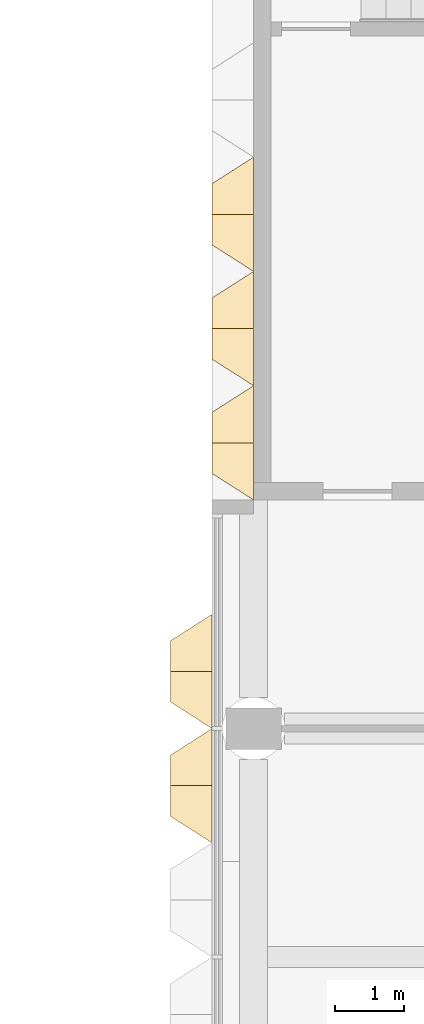
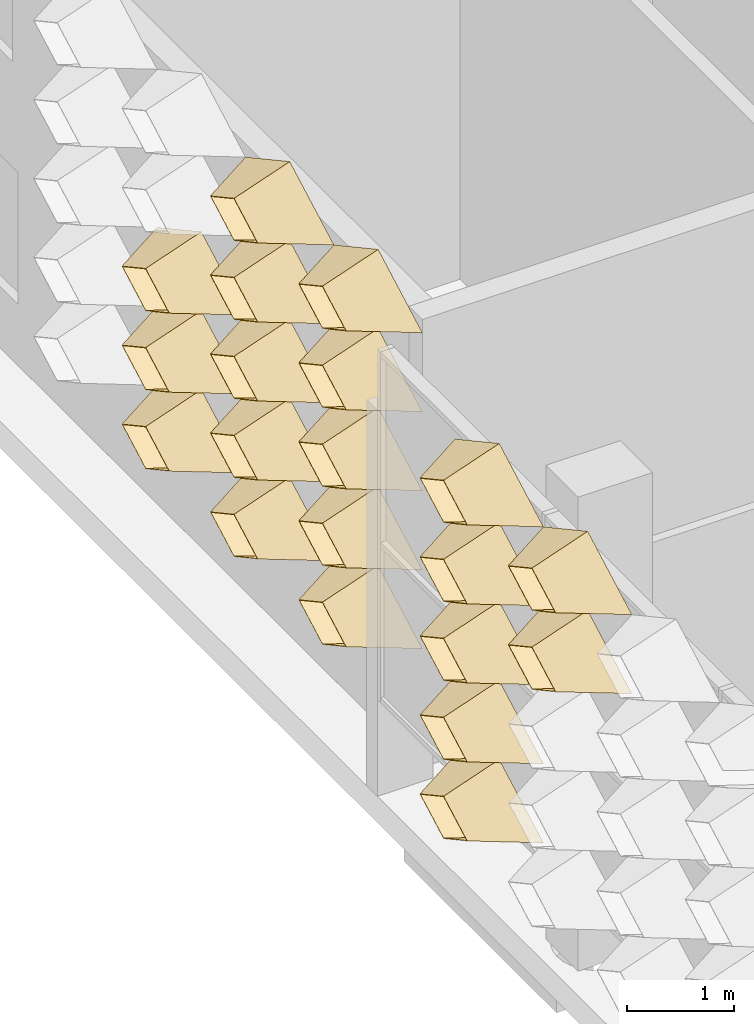
# One storey, part 46 of 85: 20 coverings.
"""IFC4 building model written with IfcOpenShell, lengths in metres."""

from ifc_helpers import new_model, entity, si_unit, direction, frame, origin, place, context, subcontext, project, spatial, material, layer, layer_set, type_object, element, save


model = new_model("IFC4")

# Units and contexts
model_context = context("Model", 3, precision=1e-05, world=origin(), true_north=direction((0.0, 1.0)))
body_context = subcontext(model_context, "Body", "Model", "MODEL_VIEW")
ifc_project = project(units=[si_unit("LENGTHUNIT", "METRE"), si_unit("AREAUNIT", "SQUARE_METRE"), si_unit("VOLUMEUNIT", "CUBIC_METRE"), si_unit("PLANEANGLEUNIT", "RADIAN"), si_unit("MASSUNIT", "GRAM", prefix="KILO")], contexts=[model_context])

# Site, building, storey
site_placement = place(None, origin())
site = spatial("IfcSite", under=ifc_project, at=site_placement, CompositionType="ELEMENT")
building_placement = place(site_placement, origin())
building = spatial("IfcBuilding", under=site, at=building_placement, Name="Lantern Court Research Institute", CompositionType="ELEMENT")
storey_placement = place(building_placement, origin())
storey = spatial("IfcBuildingStorey", under=building, at=storey_placement, Name="L00", CompositionType="ELEMENT", Elevation=0.0)

# Coverings
ifc_material = material(Name="Anodised aluminium", Category="aluminium")
ifc_layer = layer(ifc_material, 0.01611328125)
ifc_layer_set = layer_set([ifc_layer], Name="Anodised aluminium")
covering_type = type_object("IfcCoveringType", Name="Fin cassette 1650 x 900 x 600 aluminium", PredefinedType="CLADDING", material=ifc_layer_set)
covering_1_placement = place(storey_placement, frame((0.0, 14.02490234375, 1.35009765625), z_axis=(-1.0, 0.0, 0.0), x_axis=(0.0, -1.0, 0.0)))
cartesian_point_1 = entity("IfcCartesianPoint", [0.824951171875, 0.0])
cartesian_point_2 = entity("IfcCartesianPoint", [0.79150390625, 0.0])
cartesian_point_3 = entity("IfcCartesianPoint", [0.44189453125, 0.0])
cartesian_point_4 = entity("IfcCartesianPoint", [0.43359375, 0.0])
element("IfcCovering", 1, at=covering_1_placement, inside=storey, type_object=covering_type, Name="Fin cassette V4W-L00 2.9", PredefinedType="CLADDING", context=body_context, shape_type="SweptSolid", body=[
    entity("IfcExtrudedAreaSolidTapered", entity("IfcArbitraryProfileDefWithVoids", "AREA", None, entity("IfcPolyline", [cartesian_point_1, entity("IfcCartesianPoint", [0.0, 0.449951171875]), entity("IfcCartesianPoint", [-0.824951171875, 0.0]), entity("IfcCartesianPoint", [0.0, -0.449951171875]), cartesian_point_1]), [entity("IfcPolyline", [cartesian_point_2, entity("IfcCartesianPoint", [0.0, 0.431884765625]), entity("IfcCartesianPoint", [-0.79150390625, 0.0]), entity("IfcCartesianPoint", [0.0, -0.431884765625]), cartesian_point_2])]), entity("IfcAxis2Placement3D", entity("IfcCartesianPoint", [0.0, 0.0, 0.0])), entity("IfcDirection", [0.0, 0.0, 1.0]), 0.60009765625, entity("IfcArbitraryProfileDefWithVoids", "AREA", None, entity("IfcPolyline", [cartesian_point_3, entity("IfcCartesianPoint", [0.0, 0.240966796875]), entity("IfcCartesianPoint", [-0.44189453125, 0.0]), entity("IfcCartesianPoint", [0.0, -0.240966796875]), cartesian_point_3]), [entity("IfcPolyline", [cartesian_point_4, entity("IfcCartesianPoint", [0.0, 0.236572265625]), entity("IfcCartesianPoint", [-0.43359375, 0.0]), entity("IfcCartesianPoint", [0.0, -0.236572265625]), cartesian_point_4])])),
])
covering_2_placement = place(storey_placement, frame((0.0, 15.675048828125, 1.35009765625), z_axis=(-1.0, 0.0, 0.0), x_axis=(0.0, -1.0, 0.0)))
cartesian_point_5 = entity("IfcCartesianPoint", [0.824951171875, 0.0])
cartesian_point_6 = entity("IfcCartesianPoint", [0.79150390625, 0.0])
cartesian_point_7 = entity("IfcCartesianPoint", [0.44189453125, 0.0])
cartesian_point_8 = entity("IfcCartesianPoint", [0.43359375, 0.0])
element("IfcCovering", 2, at=covering_2_placement, inside=storey, type_object=covering_type, Name="Fin cassette V4W-L00 2.10", PredefinedType="CLADDING", context=body_context, shape_type="SweptSolid", body=[
    entity("IfcExtrudedAreaSolidTapered", entity("IfcArbitraryProfileDefWithVoids", "AREA", None, entity("IfcPolyline", [cartesian_point_5, entity("IfcCartesianPoint", [0.0, 0.449951171875]), entity("IfcCartesianPoint", [-0.824951171875, 0.0]), entity("IfcCartesianPoint", [0.0, -0.449951171875]), cartesian_point_5]), [entity("IfcPolyline", [cartesian_point_6, entity("IfcCartesianPoint", [0.0, 0.431884765625]), entity("IfcCartesianPoint", [-0.79150390625, 0.0]), entity("IfcCartesianPoint", [0.0, -0.431884765625]), cartesian_point_6])]), entity("IfcAxis2Placement3D", entity("IfcCartesianPoint", [0.0, 0.0, 0.0])), entity("IfcDirection", [0.0, 0.0, 1.0]), 0.60009765625, entity("IfcArbitraryProfileDefWithVoids", "AREA", None, entity("IfcPolyline", [cartesian_point_7, entity("IfcCartesianPoint", [0.0, 0.240966796875]), entity("IfcCartesianPoint", [-0.44189453125, 0.0]), entity("IfcCartesianPoint", [0.0, -0.240966796875]), cartesian_point_7]), [entity("IfcPolyline", [cartesian_point_8, entity("IfcCartesianPoint", [0.0, 0.236572265625]), entity("IfcCartesianPoint", [-0.43359375, 0.0]), entity("IfcCartesianPoint", [0.0, -0.236572265625]), cartesian_point_8])])),
])
covering_3_placement = place(storey_placement, frame((0.0, 17.324951171875, 1.35009765625), z_axis=(-1.0, 0.0, 0.0), x_axis=(0.0, -1.0, 0.0)))
cartesian_point_9 = entity("IfcCartesianPoint", [0.824951171875, 0.0])
cartesian_point_10 = entity("IfcCartesianPoint", [0.79150390625, 0.0])
cartesian_point_11 = entity("IfcCartesianPoint", [0.44189453125, 0.0])
cartesian_point_12 = entity("IfcCartesianPoint", [0.43359375, 0.0])
element("IfcCovering", 3, at=covering_3_placement, inside=storey, type_object=covering_type, Name="Fin cassette V4W-L00 2.11", PredefinedType="CLADDING", context=body_context, shape_type="SweptSolid", body=[
    entity("IfcExtrudedAreaSolidTapered", entity("IfcArbitraryProfileDefWithVoids", "AREA", None, entity("IfcPolyline", [cartesian_point_9, entity("IfcCartesianPoint", [0.0, 0.449951171875]), entity("IfcCartesianPoint", [-0.824951171875, 0.0]), entity("IfcCartesianPoint", [0.0, -0.449951171875]), cartesian_point_9]), [entity("IfcPolyline", [cartesian_point_10, entity("IfcCartesianPoint", [0.0, 0.431884765625]), entity("IfcCartesianPoint", [-0.79150390625, 0.0]), entity("IfcCartesianPoint", [0.0, -0.431884765625]), cartesian_point_10])]), entity("IfcAxis2Placement3D", entity("IfcCartesianPoint", [0.0, 0.0, 0.0])), entity("IfcDirection", [0.0, 0.0, 1.0]), 0.60009765625, entity("IfcArbitraryProfileDefWithVoids", "AREA", None, entity("IfcPolyline", [cartesian_point_11, entity("IfcCartesianPoint", [0.0, 0.240966796875]), entity("IfcCartesianPoint", [-0.44189453125, 0.0]), entity("IfcCartesianPoint", [0.0, -0.240966796875]), cartesian_point_11]), [entity("IfcPolyline", [cartesian_point_12, entity("IfcCartesianPoint", [0.0, 0.236572265625]), entity("IfcCartesianPoint", [-0.43359375, 0.0]), entity("IfcCartesianPoint", [0.0, -0.236572265625]), cartesian_point_12])])),
])
covering_4_placement = place(storey_placement, frame((0.0, 14.02490234375, 2.25), z_axis=(-1.0, 0.0, 0.0), x_axis=(0.0, -1.0, 0.0)))
cartesian_point_13 = entity("IfcCartesianPoint", [0.824951171875, 0.0])
cartesian_point_14 = entity("IfcCartesianPoint", [0.79150390625, 0.0])
cartesian_point_15 = entity("IfcCartesianPoint", [0.44189453125, 0.0])
cartesian_point_16 = entity("IfcCartesianPoint", [0.43359375, 0.0])
element("IfcCovering", 4, at=covering_4_placement, inside=storey, type_object=covering_type, Name="Fin cassette V4W-L00 3.9", PredefinedType="CLADDING", context=body_context, shape_type="SweptSolid", body=[
    entity("IfcExtrudedAreaSolidTapered", entity("IfcArbitraryProfileDefWithVoids", "AREA", None, entity("IfcPolyline", [cartesian_point_13, entity("IfcCartesianPoint", [0.0, 0.449951171875]), entity("IfcCartesianPoint", [-0.824951171875, 0.0]), entity("IfcCartesianPoint", [0.0, -0.449951171875]), cartesian_point_13]), [entity("IfcPolyline", [cartesian_point_14, entity("IfcCartesianPoint", [0.0, 0.431884765625]), entity("IfcCartesianPoint", [-0.79150390625, 0.0]), entity("IfcCartesianPoint", [0.0, -0.431884765625]), cartesian_point_14])]), entity("IfcAxis2Placement3D", entity("IfcCartesianPoint", [0.0, 0.0, 0.0])), entity("IfcDirection", [0.0, 0.0, 1.0]), 0.60009765625, entity("IfcArbitraryProfileDefWithVoids", "AREA", None, entity("IfcPolyline", [cartesian_point_15, entity("IfcCartesianPoint", [0.0, 0.240966796875]), entity("IfcCartesianPoint", [-0.44189453125, 0.0]), entity("IfcCartesianPoint", [0.0, -0.240966796875]), cartesian_point_15]), [entity("IfcPolyline", [cartesian_point_16, entity("IfcCartesianPoint", [0.0, 0.236572265625]), entity("IfcCartesianPoint", [-0.43359375, 0.0]), entity("IfcCartesianPoint", [0.0, -0.236572265625]), cartesian_point_16])])),
])
covering_5_placement = place(storey_placement, frame((0.0, 15.675048828125, 2.25), z_axis=(-1.0, 0.0, 0.0), x_axis=(0.0, -1.0, 0.0)))
cartesian_point_17 = entity("IfcCartesianPoint", [0.824951171875, 0.0])
cartesian_point_18 = entity("IfcCartesianPoint", [0.79150390625, 0.0])
cartesian_point_19 = entity("IfcCartesianPoint", [0.44189453125, 0.0])
cartesian_point_20 = entity("IfcCartesianPoint", [0.43359375, 0.0])
element("IfcCovering", 5, at=covering_5_placement, inside=storey, type_object=covering_type, Name="Fin cassette V4W-L00 3.10", PredefinedType="CLADDING", context=body_context, shape_type="SweptSolid", body=[
    entity("IfcExtrudedAreaSolidTapered", entity("IfcArbitraryProfileDefWithVoids", "AREA", None, entity("IfcPolyline", [cartesian_point_17, entity("IfcCartesianPoint", [0.0, 0.449951171875]), entity("IfcCartesianPoint", [-0.824951171875, 0.0]), entity("IfcCartesianPoint", [0.0, -0.449951171875]), cartesian_point_17]), [entity("IfcPolyline", [cartesian_point_18, entity("IfcCartesianPoint", [0.0, 0.431884765625]), entity("IfcCartesianPoint", [-0.79150390625, 0.0]), entity("IfcCartesianPoint", [0.0, -0.431884765625]), cartesian_point_18])]), entity("IfcAxis2Placement3D", entity("IfcCartesianPoint", [0.0, 0.0, 0.0])), entity("IfcDirection", [0.0, 0.0, 1.0]), 0.60009765625, entity("IfcArbitraryProfileDefWithVoids", "AREA", None, entity("IfcPolyline", [cartesian_point_19, entity("IfcCartesianPoint", [0.0, 0.240966796875]), entity("IfcCartesianPoint", [-0.44189453125, 0.0]), entity("IfcCartesianPoint", [0.0, -0.240966796875]), cartesian_point_19]), [entity("IfcPolyline", [cartesian_point_20, entity("IfcCartesianPoint", [0.0, 0.236572265625]), entity("IfcCartesianPoint", [-0.43359375, 0.0]), entity("IfcCartesianPoint", [0.0, -0.236572265625]), cartesian_point_20])])),
])
covering_6_placement = place(storey_placement, frame((0.0, 17.324951171875, 2.25), z_axis=(-1.0, 0.0, 0.0), x_axis=(0.0, -1.0, 0.0)))
cartesian_point_21 = entity("IfcCartesianPoint", [0.824951171875, 0.0])
cartesian_point_22 = entity("IfcCartesianPoint", [0.79150390625, 0.0])
cartesian_point_23 = entity("IfcCartesianPoint", [0.44189453125, 0.0])
cartesian_point_24 = entity("IfcCartesianPoint", [0.43359375, 0.0])
element("IfcCovering", 6, at=covering_6_placement, inside=storey, type_object=covering_type, Name="Fin cassette V4W-L00 3.11", PredefinedType="CLADDING", context=body_context, shape_type="SweptSolid", body=[
    entity("IfcExtrudedAreaSolidTapered", entity("IfcArbitraryProfileDefWithVoids", "AREA", None, entity("IfcPolyline", [cartesian_point_21, entity("IfcCartesianPoint", [0.0, 0.449951171875]), entity("IfcCartesianPoint", [-0.824951171875, 0.0]), entity("IfcCartesianPoint", [0.0, -0.449951171875]), cartesian_point_21]), [entity("IfcPolyline", [cartesian_point_22, entity("IfcCartesianPoint", [0.0, 0.431884765625]), entity("IfcCartesianPoint", [-0.79150390625, 0.0]), entity("IfcCartesianPoint", [0.0, -0.431884765625]), cartesian_point_22])]), entity("IfcAxis2Placement3D", entity("IfcCartesianPoint", [0.0, 0.0, 0.0])), entity("IfcDirection", [0.0, 0.0, 1.0]), 0.60009765625, entity("IfcArbitraryProfileDefWithVoids", "AREA", None, entity("IfcPolyline", [cartesian_point_23, entity("IfcCartesianPoint", [0.0, 0.240966796875]), entity("IfcCartesianPoint", [-0.44189453125, 0.0]), entity("IfcCartesianPoint", [0.0, -0.240966796875]), cartesian_point_23]), [entity("IfcPolyline", [cartesian_point_24, entity("IfcCartesianPoint", [0.0, 0.236572265625]), entity("IfcCartesianPoint", [-0.43359375, 0.0]), entity("IfcCartesianPoint", [0.0, -0.236572265625]), cartesian_point_24])])),
])
covering_7_placement = place(storey_placement, frame((0.0, 14.02490234375, 3.14990234375), z_axis=(-1.0, 0.0, 0.0), x_axis=(0.0, -1.0, 0.0)))
cartesian_point_25 = entity("IfcCartesianPoint", [0.824951171875, 0.0])
cartesian_point_26 = entity("IfcCartesianPoint", [0.79150390625, 0.0])
cartesian_point_27 = entity("IfcCartesianPoint", [0.44189453125, 0.0])
cartesian_point_28 = entity("IfcCartesianPoint", [0.43359375, 0.0])
element("IfcCovering", 7, at=covering_7_placement, inside=storey, type_object=covering_type, Name="Fin cassette V4W-L00 4.9", PredefinedType="CLADDING", context=body_context, shape_type="SweptSolid", body=[
    entity("IfcExtrudedAreaSolidTapered", entity("IfcArbitraryProfileDefWithVoids", "AREA", None, entity("IfcPolyline", [cartesian_point_25, entity("IfcCartesianPoint", [0.0, 0.449951171875]), entity("IfcCartesianPoint", [-0.824951171875, 0.0]), entity("IfcCartesianPoint", [0.0, -0.449951171875]), cartesian_point_25]), [entity("IfcPolyline", [cartesian_point_26, entity("IfcCartesianPoint", [0.0, 0.431884765625]), entity("IfcCartesianPoint", [-0.79150390625, 0.0]), entity("IfcCartesianPoint", [0.0, -0.431884765625]), cartesian_point_26])]), entity("IfcAxis2Placement3D", entity("IfcCartesianPoint", [0.0, 0.0, 0.0])), entity("IfcDirection", [0.0, 0.0, 1.0]), 0.60009765625, entity("IfcArbitraryProfileDefWithVoids", "AREA", None, entity("IfcPolyline", [cartesian_point_27, entity("IfcCartesianPoint", [0.0, 0.240966796875]), entity("IfcCartesianPoint", [-0.44189453125, 0.0]), entity("IfcCartesianPoint", [0.0, -0.240966796875]), cartesian_point_27]), [entity("IfcPolyline", [cartesian_point_28, entity("IfcCartesianPoint", [0.0, 0.236572265625]), entity("IfcCartesianPoint", [-0.43359375, 0.0]), entity("IfcCartesianPoint", [0.0, -0.236572265625]), cartesian_point_28])])),
])
covering_8_placement = place(storey_placement, frame((0.0, 15.675048828125, 3.14990234375), z_axis=(-1.0, 0.0, 0.0), x_axis=(0.0, -1.0, 0.0)))
cartesian_point_29 = entity("IfcCartesianPoint", [0.824951171875, 0.0])
cartesian_point_30 = entity("IfcCartesianPoint", [0.79150390625, 0.0])
cartesian_point_31 = entity("IfcCartesianPoint", [0.44189453125, 0.0])
cartesian_point_32 = entity("IfcCartesianPoint", [0.43359375, 0.0])
element("IfcCovering", 8, at=covering_8_placement, inside=storey, type_object=covering_type, Name="Fin cassette V4W-L00 4.10", PredefinedType="CLADDING", context=body_context, shape_type="SweptSolid", body=[
    entity("IfcExtrudedAreaSolidTapered", entity("IfcArbitraryProfileDefWithVoids", "AREA", None, entity("IfcPolyline", [cartesian_point_29, entity("IfcCartesianPoint", [0.0, 0.449951171875]), entity("IfcCartesianPoint", [-0.824951171875, 0.0]), entity("IfcCartesianPoint", [0.0, -0.449951171875]), cartesian_point_29]), [entity("IfcPolyline", [cartesian_point_30, entity("IfcCartesianPoint", [0.0, 0.431884765625]), entity("IfcCartesianPoint", [-0.79150390625, 0.0]), entity("IfcCartesianPoint", [0.0, -0.431884765625]), cartesian_point_30])]), entity("IfcAxis2Placement3D", entity("IfcCartesianPoint", [0.0, 0.0, 0.0])), entity("IfcDirection", [0.0, 0.0, 1.0]), 0.60009765625, entity("IfcArbitraryProfileDefWithVoids", "AREA", None, entity("IfcPolyline", [cartesian_point_31, entity("IfcCartesianPoint", [0.0, 0.240966796875]), entity("IfcCartesianPoint", [-0.44189453125, 0.0]), entity("IfcCartesianPoint", [0.0, -0.240966796875]), cartesian_point_31]), [entity("IfcPolyline", [cartesian_point_32, entity("IfcCartesianPoint", [0.0, 0.236572265625]), entity("IfcCartesianPoint", [-0.43359375, 0.0]), entity("IfcCartesianPoint", [0.0, -0.236572265625]), cartesian_point_32])])),
])
covering_9_placement = place(storey_placement, frame((0.0, 17.324951171875, 3.14990234375), z_axis=(-1.0, 0.0, 0.0), x_axis=(0.0, -1.0, 0.0)))
cartesian_point_33 = entity("IfcCartesianPoint", [0.824951171875, 0.0])
cartesian_point_34 = entity("IfcCartesianPoint", [0.79150390625, 0.0])
cartesian_point_35 = entity("IfcCartesianPoint", [0.44189453125, 0.0])
cartesian_point_36 = entity("IfcCartesianPoint", [0.43359375, 0.0])
element("IfcCovering", 9, at=covering_9_placement, inside=storey, type_object=covering_type, Name="Fin cassette V4W-L00 4.11", PredefinedType="CLADDING", context=body_context, shape_type="SweptSolid", body=[
    entity("IfcExtrudedAreaSolidTapered", entity("IfcArbitraryProfileDefWithVoids", "AREA", None, entity("IfcPolyline", [cartesian_point_33, entity("IfcCartesianPoint", [0.0, 0.449951171875]), entity("IfcCartesianPoint", [-0.824951171875, 0.0]), entity("IfcCartesianPoint", [0.0, -0.449951171875]), cartesian_point_33]), [entity("IfcPolyline", [cartesian_point_34, entity("IfcCartesianPoint", [0.0, 0.431884765625]), entity("IfcCartesianPoint", [-0.79150390625, 0.0]), entity("IfcCartesianPoint", [0.0, -0.431884765625]), cartesian_point_34])]), entity("IfcAxis2Placement3D", entity("IfcCartesianPoint", [0.0, 0.0, 0.0])), entity("IfcDirection", [0.0, 0.0, 1.0]), 0.60009765625, entity("IfcArbitraryProfileDefWithVoids", "AREA", None, entity("IfcPolyline", [cartesian_point_35, entity("IfcCartesianPoint", [0.0, 0.240966796875]), entity("IfcCartesianPoint", [-0.44189453125, 0.0]), entity("IfcCartesianPoint", [0.0, -0.240966796875]), cartesian_point_35]), [entity("IfcPolyline", [cartesian_point_36, entity("IfcCartesianPoint", [0.0, 0.236572265625]), entity("IfcCartesianPoint", [-0.43359375, 0.0]), entity("IfcCartesianPoint", [0.0, -0.236572265625]), cartesian_point_36])])),
])
covering_10_placement = place(storey_placement, frame((0.0, 14.02490234375, 4.050048828125), z_axis=(-1.0, 0.0, 0.0), x_axis=(0.0, -1.0, 0.0)))
cartesian_point_37 = entity("IfcCartesianPoint", [0.824951171875, 0.0])
cartesian_point_38 = entity("IfcCartesianPoint", [0.79150390625, 0.0])
cartesian_point_39 = entity("IfcCartesianPoint", [0.44189453125, 0.0])
cartesian_point_40 = entity("IfcCartesianPoint", [0.43359375, 0.0])
element("IfcCovering", 10, at=covering_10_placement, inside=storey, type_object=covering_type, Name="Fin cassette V4W-L00 5.9", PredefinedType="CLADDING", context=body_context, shape_type="SweptSolid", body=[
    entity("IfcExtrudedAreaSolidTapered", entity("IfcArbitraryProfileDefWithVoids", "AREA", None, entity("IfcPolyline", [cartesian_point_37, entity("IfcCartesianPoint", [0.0, 0.449951171875]), entity("IfcCartesianPoint", [-0.824951171875, 0.0]), entity("IfcCartesianPoint", [0.0, -0.449951171875]), cartesian_point_37]), [entity("IfcPolyline", [cartesian_point_38, entity("IfcCartesianPoint", [0.0, 0.431884765625]), entity("IfcCartesianPoint", [-0.79150390625, 0.0]), entity("IfcCartesianPoint", [0.0, -0.431884765625]), cartesian_point_38])]), entity("IfcAxis2Placement3D", entity("IfcCartesianPoint", [0.0, 0.0, 0.0])), entity("IfcDirection", [0.0, 0.0, 1.0]), 0.60009765625, entity("IfcArbitraryProfileDefWithVoids", "AREA", None, entity("IfcPolyline", [cartesian_point_39, entity("IfcCartesianPoint", [0.0, 0.240966796875]), entity("IfcCartesianPoint", [-0.44189453125, 0.0]), entity("IfcCartesianPoint", [0.0, -0.240966796875]), cartesian_point_39]), [entity("IfcPolyline", [cartesian_point_40, entity("IfcCartesianPoint", [0.0, 0.236572265625]), entity("IfcCartesianPoint", [-0.43359375, 0.0]), entity("IfcCartesianPoint", [0.0, -0.236572265625]), cartesian_point_40])])),
])
covering_11_placement = place(storey_placement, frame((0.0, 15.675048828125, 4.050048828125), z_axis=(-1.0, 0.0, 0.0), x_axis=(0.0, -1.0, 0.0)))
cartesian_point_41 = entity("IfcCartesianPoint", [0.824951171875, 0.0])
cartesian_point_42 = entity("IfcCartesianPoint", [0.79150390625, 0.0])
cartesian_point_43 = entity("IfcCartesianPoint", [0.44189453125, 0.0])
cartesian_point_44 = entity("IfcCartesianPoint", [0.43359375, 0.0])
element("IfcCovering", 11, at=covering_11_placement, inside=storey, type_object=covering_type, Name="Fin cassette V4W-L00 5.10", PredefinedType="CLADDING", context=body_context, shape_type="SweptSolid", body=[
    entity("IfcExtrudedAreaSolidTapered", entity("IfcArbitraryProfileDefWithVoids", "AREA", None, entity("IfcPolyline", [cartesian_point_41, entity("IfcCartesianPoint", [0.0, 0.449951171875]), entity("IfcCartesianPoint", [-0.824951171875, 0.0]), entity("IfcCartesianPoint", [0.0, -0.449951171875]), cartesian_point_41]), [entity("IfcPolyline", [cartesian_point_42, entity("IfcCartesianPoint", [0.0, 0.431884765625]), entity("IfcCartesianPoint", [-0.79150390625, 0.0]), entity("IfcCartesianPoint", [0.0, -0.431884765625]), cartesian_point_42])]), entity("IfcAxis2Placement3D", entity("IfcCartesianPoint", [0.0, 0.0, 0.0])), entity("IfcDirection", [0.0, 0.0, 1.0]), 0.60009765625, entity("IfcArbitraryProfileDefWithVoids", "AREA", None, entity("IfcPolyline", [cartesian_point_43, entity("IfcCartesianPoint", [0.0, 0.240966796875]), entity("IfcCartesianPoint", [-0.44189453125, 0.0]), entity("IfcCartesianPoint", [0.0, -0.240966796875]), cartesian_point_43]), [entity("IfcPolyline", [cartesian_point_44, entity("IfcCartesianPoint", [0.0, 0.236572265625]), entity("IfcCartesianPoint", [-0.43359375, 0.0]), entity("IfcCartesianPoint", [0.0, -0.236572265625]), cartesian_point_44])])),
])
covering_12_placement = place(storey_placement, frame((0.0, 14.02490234375, 4.949951171875), z_axis=(-1.0, 0.0, 0.0), x_axis=(0.0, -1.0, 0.0)))
cartesian_point_45 = entity("IfcCartesianPoint", [0.824951171875, 0.0])
cartesian_point_46 = entity("IfcCartesianPoint", [0.79150390625, 0.0])
cartesian_point_47 = entity("IfcCartesianPoint", [0.44189453125, 0.0])
cartesian_point_48 = entity("IfcCartesianPoint", [0.43359375, 0.0])
element("IfcCovering", 12, at=covering_12_placement, inside=storey, type_object=covering_type, Name="Fin cassette V4W-L00 6.9", PredefinedType="CLADDING", context=body_context, shape_type="SweptSolid", body=[
    entity("IfcExtrudedAreaSolidTapered", entity("IfcArbitraryProfileDefWithVoids", "AREA", None, entity("IfcPolyline", [cartesian_point_45, entity("IfcCartesianPoint", [0.0, 0.449951171875]), entity("IfcCartesianPoint", [-0.824951171875, 0.0]), entity("IfcCartesianPoint", [0.0, -0.449951171875]), cartesian_point_45]), [entity("IfcPolyline", [cartesian_point_46, entity("IfcCartesianPoint", [0.0, 0.431884765625]), entity("IfcCartesianPoint", [-0.79150390625, 0.0]), entity("IfcCartesianPoint", [0.0, -0.431884765625]), cartesian_point_46])]), entity("IfcAxis2Placement3D", entity("IfcCartesianPoint", [0.0, 0.0, 0.0])), entity("IfcDirection", [0.0, 0.0, 1.0]), 0.60009765625, entity("IfcArbitraryProfileDefWithVoids", "AREA", None, entity("IfcPolyline", [cartesian_point_47, entity("IfcCartesianPoint", [0.0, 0.240966796875]), entity("IfcCartesianPoint", [-0.44189453125, 0.0]), entity("IfcCartesianPoint", [0.0, -0.240966796875]), cartesian_point_47]), [entity("IfcPolyline", [cartesian_point_48, entity("IfcCartesianPoint", [0.0, 0.236572265625]), entity("IfcCartesianPoint", [-0.43359375, 0.0]), entity("IfcCartesianPoint", [0.0, -0.236572265625]), cartesian_point_48])])),
])
covering_13_placement = place(storey_placement, frame((0.0, 15.675048828125, 4.949951171875), z_axis=(-1.0, 0.0, 0.0), x_axis=(0.0, -1.0, 0.0)))
cartesian_point_49 = entity("IfcCartesianPoint", [0.824951171875, 0.0])
cartesian_point_50 = entity("IfcCartesianPoint", [0.79150390625, 0.0])
cartesian_point_51 = entity("IfcCartesianPoint", [0.44189453125, 0.0])
cartesian_point_52 = entity("IfcCartesianPoint", [0.43359375, 0.0])
element("IfcCovering", 13, at=covering_13_placement, inside=storey, type_object=covering_type, Name="Fin cassette V4W-L00 6.10", PredefinedType="CLADDING", context=body_context, shape_type="SweptSolid", body=[
    entity("IfcExtrudedAreaSolidTapered", entity("IfcArbitraryProfileDefWithVoids", "AREA", None, entity("IfcPolyline", [cartesian_point_49, entity("IfcCartesianPoint", [0.0, 0.449951171875]), entity("IfcCartesianPoint", [-0.824951171875, 0.0]), entity("IfcCartesianPoint", [0.0, -0.449951171875]), cartesian_point_49]), [entity("IfcPolyline", [cartesian_point_50, entity("IfcCartesianPoint", [0.0, 0.431884765625]), entity("IfcCartesianPoint", [-0.79150390625, 0.0]), entity("IfcCartesianPoint", [0.0, -0.431884765625]), cartesian_point_50])]), entity("IfcAxis2Placement3D", entity("IfcCartesianPoint", [0.0, 0.0, 0.0])), entity("IfcDirection", [0.0, 0.0, 1.0]), 0.60009765625, entity("IfcArbitraryProfileDefWithVoids", "AREA", None, entity("IfcPolyline", [cartesian_point_51, entity("IfcCartesianPoint", [0.0, 0.240966796875]), entity("IfcCartesianPoint", [-0.44189453125, 0.0]), entity("IfcCartesianPoint", [0.0, -0.240966796875]), cartesian_point_51]), [entity("IfcPolyline", [cartesian_point_52, entity("IfcCartesianPoint", [0.0, 0.236572265625]), entity("IfcCartesianPoint", [-0.43359375, 0.0]), entity("IfcCartesianPoint", [0.0, -0.236572265625]), cartesian_point_52])])),
])
covering_14_placement = place(storey_placement, frame((-0.60009765625, 10.72509765625, 1.35009765625), z_axis=(-1.0, 0.0, 0.0), x_axis=(0.0, -1.0, 0.0)))
cartesian_point_53 = entity("IfcCartesianPoint", [0.824951171875, 0.0])
cartesian_point_54 = entity("IfcCartesianPoint", [0.79150390625, 0.0])
cartesian_point_55 = entity("IfcCartesianPoint", [0.44189453125, 0.0])
cartesian_point_56 = entity("IfcCartesianPoint", [0.43359375, 0.0])
element("IfcCovering", 14, at=covering_14_placement, inside=storey, type_object=covering_type, Name="Fin cassette V4W-L00 2.7", PredefinedType="CLADDING", context=body_context, shape_type="SweptSolid", body=[
    entity("IfcExtrudedAreaSolidTapered", entity("IfcArbitraryProfileDefWithVoids", "AREA", None, entity("IfcPolyline", [cartesian_point_53, entity("IfcCartesianPoint", [0.0, 0.449951171875]), entity("IfcCartesianPoint", [-0.824951171875, 0.0]), entity("IfcCartesianPoint", [0.0, -0.449951171875]), cartesian_point_53]), [entity("IfcPolyline", [cartesian_point_54, entity("IfcCartesianPoint", [0.0, 0.431884765625]), entity("IfcCartesianPoint", [-0.79150390625, 0.0]), entity("IfcCartesianPoint", [0.0, -0.431884765625]), cartesian_point_54])]), entity("IfcAxis2Placement3D", entity("IfcCartesianPoint", [0.0, 0.0, 0.0])), entity("IfcDirection", [0.0, 0.0, 1.0]), 0.60009765625, entity("IfcArbitraryProfileDefWithVoids", "AREA", None, entity("IfcPolyline", [cartesian_point_55, entity("IfcCartesianPoint", [0.0, 0.240966796875]), entity("IfcCartesianPoint", [-0.44189453125, 0.0]), entity("IfcCartesianPoint", [0.0, -0.240966796875]), cartesian_point_55]), [entity("IfcPolyline", [cartesian_point_56, entity("IfcCartesianPoint", [0.0, 0.236572265625]), entity("IfcCartesianPoint", [-0.43359375, 0.0]), entity("IfcCartesianPoint", [0.0, -0.236572265625]), cartesian_point_56])])),
])
covering_15_placement = place(storey_placement, frame((-0.60009765625, 10.72509765625, 2.25), z_axis=(-1.0, 0.0, 0.0), x_axis=(0.0, -1.0, 0.0)))
cartesian_point_57 = entity("IfcCartesianPoint", [0.824951171875, 0.0])
cartesian_point_58 = entity("IfcCartesianPoint", [0.79150390625, 0.0])
cartesian_point_59 = entity("IfcCartesianPoint", [0.44189453125, 0.0])
cartesian_point_60 = entity("IfcCartesianPoint", [0.43359375, 0.0])
element("IfcCovering", 15, at=covering_15_placement, inside=storey, type_object=covering_type, Name="Fin cassette V4W-L00 3.7", PredefinedType="CLADDING", context=body_context, shape_type="SweptSolid", body=[
    entity("IfcExtrudedAreaSolidTapered", entity("IfcArbitraryProfileDefWithVoids", "AREA", None, entity("IfcPolyline", [cartesian_point_57, entity("IfcCartesianPoint", [0.0, 0.449951171875]), entity("IfcCartesianPoint", [-0.824951171875, 0.0]), entity("IfcCartesianPoint", [0.0, -0.449951171875]), cartesian_point_57]), [entity("IfcPolyline", [cartesian_point_58, entity("IfcCartesianPoint", [0.0, 0.431884765625]), entity("IfcCartesianPoint", [-0.79150390625, 0.0]), entity("IfcCartesianPoint", [0.0, -0.431884765625]), cartesian_point_58])]), entity("IfcAxis2Placement3D", entity("IfcCartesianPoint", [0.0, 0.0, 0.0])), entity("IfcDirection", [0.0, 0.0, 1.0]), 0.60009765625, entity("IfcArbitraryProfileDefWithVoids", "AREA", None, entity("IfcPolyline", [cartesian_point_59, entity("IfcCartesianPoint", [0.0, 0.240966796875]), entity("IfcCartesianPoint", [-0.44189453125, 0.0]), entity("IfcCartesianPoint", [0.0, -0.240966796875]), cartesian_point_59]), [entity("IfcPolyline", [cartesian_point_60, entity("IfcCartesianPoint", [0.0, 0.236572265625]), entity("IfcCartesianPoint", [-0.43359375, 0.0]), entity("IfcCartesianPoint", [0.0, -0.236572265625]), cartesian_point_60])])),
])
covering_16_placement = place(storey_placement, frame((-0.60009765625, 10.72509765625, 3.14990234375), z_axis=(-1.0, 0.0, 0.0), x_axis=(0.0, -1.0, 0.0)))
cartesian_point_61 = entity("IfcCartesianPoint", [0.824951171875, 0.0])
cartesian_point_62 = entity("IfcCartesianPoint", [0.79150390625, 0.0])
cartesian_point_63 = entity("IfcCartesianPoint", [0.44189453125, 0.0])
cartesian_point_64 = entity("IfcCartesianPoint", [0.43359375, 0.0])
element("IfcCovering", 16, at=covering_16_placement, inside=storey, type_object=covering_type, Name="Fin cassette V4W-L00 4.7", PredefinedType="CLADDING", context=body_context, shape_type="SweptSolid", body=[
    entity("IfcExtrudedAreaSolidTapered", entity("IfcArbitraryProfileDefWithVoids", "AREA", None, entity("IfcPolyline", [cartesian_point_61, entity("IfcCartesianPoint", [0.0, 0.449951171875]), entity("IfcCartesianPoint", [-0.824951171875, 0.0]), entity("IfcCartesianPoint", [0.0, -0.449951171875]), cartesian_point_61]), [entity("IfcPolyline", [cartesian_point_62, entity("IfcCartesianPoint", [0.0, 0.431884765625]), entity("IfcCartesianPoint", [-0.79150390625, 0.0]), entity("IfcCartesianPoint", [0.0, -0.431884765625]), cartesian_point_62])]), entity("IfcAxis2Placement3D", entity("IfcCartesianPoint", [0.0, 0.0, 0.0])), entity("IfcDirection", [0.0, 0.0, 1.0]), 0.60009765625, entity("IfcArbitraryProfileDefWithVoids", "AREA", None, entity("IfcPolyline", [cartesian_point_63, entity("IfcCartesianPoint", [0.0, 0.240966796875]), entity("IfcCartesianPoint", [-0.44189453125, 0.0]), entity("IfcCartesianPoint", [0.0, -0.240966796875]), cartesian_point_63]), [entity("IfcPolyline", [cartesian_point_64, entity("IfcCartesianPoint", [0.0, 0.236572265625]), entity("IfcCartesianPoint", [-0.43359375, 0.0]), entity("IfcCartesianPoint", [0.0, -0.236572265625]), cartesian_point_64])])),
])
covering_17_placement = place(storey_placement, frame((-0.60009765625, 9.074951171875, 4.050048828125), z_axis=(-1.0, 0.0, 0.0), x_axis=(0.0, -1.0, 0.0)))
cartesian_point_65 = entity("IfcCartesianPoint", [0.824951171875, 0.0])
cartesian_point_66 = entity("IfcCartesianPoint", [0.79150390625, 0.0])
cartesian_point_67 = entity("IfcCartesianPoint", [0.44189453125, 0.0])
cartesian_point_68 = entity("IfcCartesianPoint", [0.43359375, 0.0])
element("IfcCovering", 17, at=covering_17_placement, inside=storey, type_object=covering_type, Name="Fin cassette V4W-L00 5.6", PredefinedType="CLADDING", context=body_context, shape_type="SweptSolid", body=[
    entity("IfcExtrudedAreaSolidTapered", entity("IfcArbitraryProfileDefWithVoids", "AREA", None, entity("IfcPolyline", [cartesian_point_65, entity("IfcCartesianPoint", [0.0, 0.449951171875]), entity("IfcCartesianPoint", [-0.824951171875, 0.0]), entity("IfcCartesianPoint", [0.0, -0.449951171875]), cartesian_point_65]), [entity("IfcPolyline", [cartesian_point_66, entity("IfcCartesianPoint", [0.0, 0.431884765625]), entity("IfcCartesianPoint", [-0.79150390625, 0.0]), entity("IfcCartesianPoint", [0.0, -0.431884765625]), cartesian_point_66])]), entity("IfcAxis2Placement3D", entity("IfcCartesianPoint", [0.0, 0.0, 0.0])), entity("IfcDirection", [0.0, 0.0, 1.0]), 0.60009765625, entity("IfcArbitraryProfileDefWithVoids", "AREA", None, entity("IfcPolyline", [cartesian_point_67, entity("IfcCartesianPoint", [0.0, 0.240966796875]), entity("IfcCartesianPoint", [-0.44189453125, 0.0]), entity("IfcCartesianPoint", [0.0, -0.240966796875]), cartesian_point_67]), [entity("IfcPolyline", [cartesian_point_68, entity("IfcCartesianPoint", [0.0, 0.236572265625]), entity("IfcCartesianPoint", [-0.43359375, 0.0]), entity("IfcCartesianPoint", [0.0, -0.236572265625]), cartesian_point_68])])),
])
covering_18_placement = place(storey_placement, frame((-0.60009765625, 10.72509765625, 4.050048828125), z_axis=(-1.0, 0.0, 0.0), x_axis=(0.0, -1.0, 0.0)))
cartesian_point_69 = entity("IfcCartesianPoint", [0.824951171875, 0.0])
cartesian_point_70 = entity("IfcCartesianPoint", [0.79150390625, 0.0])
cartesian_point_71 = entity("IfcCartesianPoint", [0.44189453125, 0.0])
cartesian_point_72 = entity("IfcCartesianPoint", [0.43359375, 0.0])
element("IfcCovering", 18, at=covering_18_placement, inside=storey, type_object=covering_type, Name="Fin cassette V4W-L00 5.7", PredefinedType="CLADDING", context=body_context, shape_type="SweptSolid", body=[
    entity("IfcExtrudedAreaSolidTapered", entity("IfcArbitraryProfileDefWithVoids", "AREA", None, entity("IfcPolyline", [cartesian_point_69, entity("IfcCartesianPoint", [0.0, 0.449951171875]), entity("IfcCartesianPoint", [-0.824951171875, 0.0]), entity("IfcCartesianPoint", [0.0, -0.449951171875]), cartesian_point_69]), [entity("IfcPolyline", [cartesian_point_70, entity("IfcCartesianPoint", [0.0, 0.431884765625]), entity("IfcCartesianPoint", [-0.79150390625, 0.0]), entity("IfcCartesianPoint", [0.0, -0.431884765625]), cartesian_point_70])]), entity("IfcAxis2Placement3D", entity("IfcCartesianPoint", [0.0, 0.0, 0.0])), entity("IfcDirection", [0.0, 0.0, 1.0]), 0.60009765625, entity("IfcArbitraryProfileDefWithVoids", "AREA", None, entity("IfcPolyline", [cartesian_point_71, entity("IfcCartesianPoint", [0.0, 0.240966796875]), entity("IfcCartesianPoint", [-0.44189453125, 0.0]), entity("IfcCartesianPoint", [0.0, -0.240966796875]), cartesian_point_71]), [entity("IfcPolyline", [cartesian_point_72, entity("IfcCartesianPoint", [0.0, 0.236572265625]), entity("IfcCartesianPoint", [-0.43359375, 0.0]), entity("IfcCartesianPoint", [0.0, -0.236572265625]), cartesian_point_72])])),
])
covering_19_placement = place(storey_placement, frame((-0.60009765625, 9.074951171875, 4.949951171875), z_axis=(-1.0, 0.0, 0.0), x_axis=(0.0, -1.0, 0.0)))
cartesian_point_73 = entity("IfcCartesianPoint", [0.824951171875, 0.0])
cartesian_point_74 = entity("IfcCartesianPoint", [0.79150390625, 0.0])
cartesian_point_75 = entity("IfcCartesianPoint", [0.44189453125, 0.0])
cartesian_point_76 = entity("IfcCartesianPoint", [0.43359375, 0.0])
element("IfcCovering", 19, at=covering_19_placement, inside=storey, type_object=covering_type, Name="Fin cassette V4W-L00 6.6", PredefinedType="CLADDING", context=body_context, shape_type="SweptSolid", body=[
    entity("IfcExtrudedAreaSolidTapered", entity("IfcArbitraryProfileDefWithVoids", "AREA", None, entity("IfcPolyline", [cartesian_point_73, entity("IfcCartesianPoint", [0.0, 0.449951171875]), entity("IfcCartesianPoint", [-0.824951171875, 0.0]), entity("IfcCartesianPoint", [0.0, -0.449951171875]), cartesian_point_73]), [entity("IfcPolyline", [cartesian_point_74, entity("IfcCartesianPoint", [0.0, 0.431884765625]), entity("IfcCartesianPoint", [-0.79150390625, 0.0]), entity("IfcCartesianPoint", [0.0, -0.431884765625]), cartesian_point_74])]), entity("IfcAxis2Placement3D", entity("IfcCartesianPoint", [0.0, 0.0, 0.0])), entity("IfcDirection", [0.0, 0.0, 1.0]), 0.60009765625, entity("IfcArbitraryProfileDefWithVoids", "AREA", None, entity("IfcPolyline", [cartesian_point_75, entity("IfcCartesianPoint", [0.0, 0.240966796875]), entity("IfcCartesianPoint", [-0.44189453125, 0.0]), entity("IfcCartesianPoint", [0.0, -0.240966796875]), cartesian_point_75]), [entity("IfcPolyline", [cartesian_point_76, entity("IfcCartesianPoint", [0.0, 0.236572265625]), entity("IfcCartesianPoint", [-0.43359375, 0.0]), entity("IfcCartesianPoint", [0.0, -0.236572265625]), cartesian_point_76])])),
])
covering_20_placement = place(storey_placement, frame((-0.60009765625, 10.72509765625, 4.949951171875), z_axis=(-1.0, 0.0, 0.0), x_axis=(0.0, -1.0, 0.0)))
cartesian_point_77 = entity("IfcCartesianPoint", [0.824951171875, 0.0])
cartesian_point_78 = entity("IfcCartesianPoint", [0.79150390625, 0.0])
cartesian_point_79 = entity("IfcCartesianPoint", [0.44189453125, 0.0])
cartesian_point_80 = entity("IfcCartesianPoint", [0.43359375, 0.0])
element("IfcCovering", 20, at=covering_20_placement, inside=storey, type_object=covering_type, Name="Fin cassette V4W-L00 6.7", PredefinedType="CLADDING", context=body_context, shape_type="SweptSolid", body=[
    entity("IfcExtrudedAreaSolidTapered", entity("IfcArbitraryProfileDefWithVoids", "AREA", None, entity("IfcPolyline", [cartesian_point_77, entity("IfcCartesianPoint", [0.0, 0.449951171875]), entity("IfcCartesianPoint", [-0.824951171875, 0.0]), entity("IfcCartesianPoint", [0.0, -0.449951171875]), cartesian_point_77]), [entity("IfcPolyline", [cartesian_point_78, entity("IfcCartesianPoint", [0.0, 0.431884765625]), entity("IfcCartesianPoint", [-0.79150390625, 0.0]), entity("IfcCartesianPoint", [0.0, -0.431884765625]), cartesian_point_78])]), entity("IfcAxis2Placement3D", entity("IfcCartesianPoint", [0.0, 0.0, 0.0])), entity("IfcDirection", [0.0, 0.0, 1.0]), 0.60009765625, entity("IfcArbitraryProfileDefWithVoids", "AREA", None, entity("IfcPolyline", [cartesian_point_79, entity("IfcCartesianPoint", [0.0, 0.240966796875]), entity("IfcCartesianPoint", [-0.44189453125, 0.0]), entity("IfcCartesianPoint", [0.0, -0.240966796875]), cartesian_point_79]), [entity("IfcPolyline", [cartesian_point_80, entity("IfcCartesianPoint", [0.0, 0.236572265625]), entity("IfcCartesianPoint", [-0.43359375, 0.0]), entity("IfcCartesianPoint", [0.0, -0.236572265625]), cartesian_point_80])])),
])

save(model, "model.ifc")
